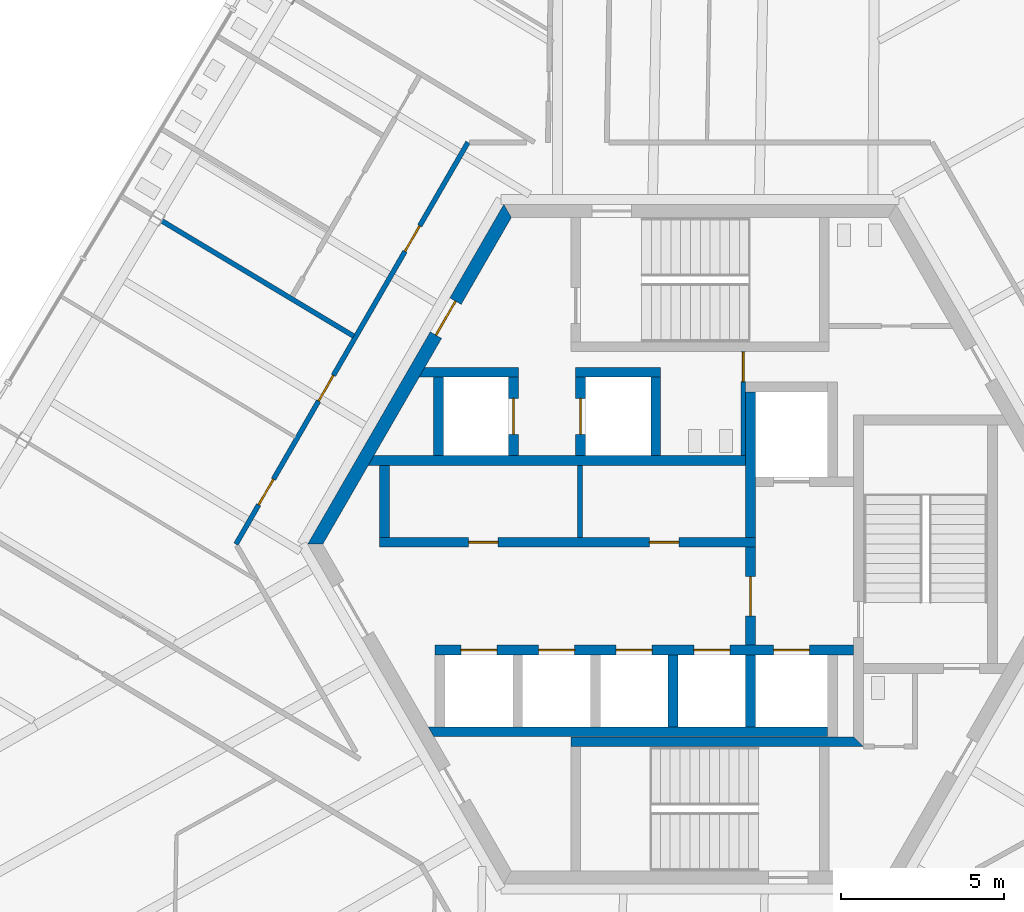
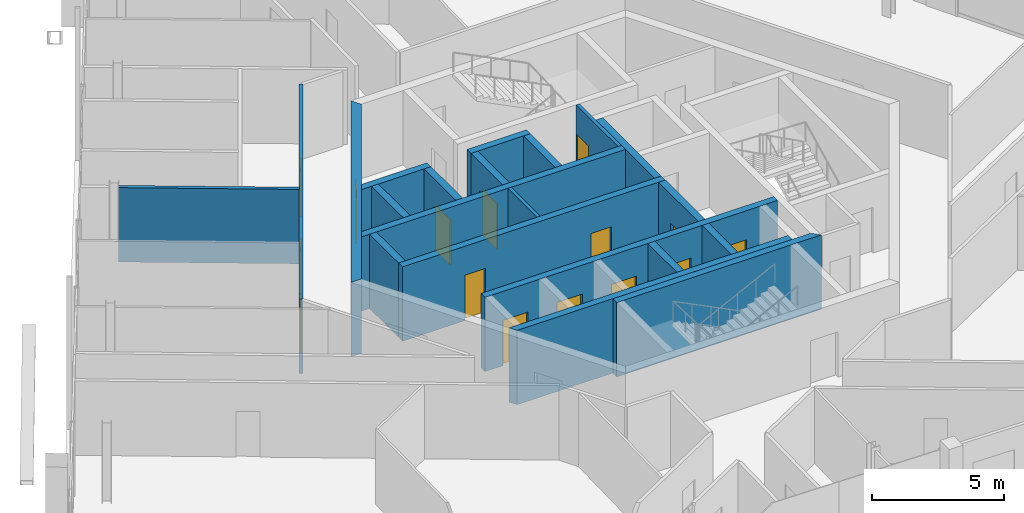
# One storey, part 12 of 21: 21 walls, 15 doors, 15 openings.
"""IFC4 building model written with IfcOpenShell, lengths in metres."""

from ifc_helpers import new_model, si_unit, direction, frame, frame_2d, origin, place, context, subcontext, project, spatial, polyline, rectangle, outline, extrude, source, transform, mapped, material, layer, layer_set, type_object, element, fill, save


model = new_model("IFC4")

# Units and contexts
model_context = context("Model", 3, precision=1e-05, world=origin(), true_north=direction((0.0, 1.0)))
body_context = subcontext(model_context, "Body", "Model", "MODEL_VIEW")
ifc_project = project(units=[si_unit("LENGTHUNIT", "METRE"), si_unit("AREAUNIT", "SQUARE_METRE"), si_unit("VOLUMEUNIT", "CUBIC_METRE"), si_unit("PLANEANGLEUNIT", "RADIAN"), si_unit("MASSUNIT", "GRAM", prefix="KILO")], contexts=[model_context])

# Site, building, storey
site_placement = place(None, origin())
site = spatial("IfcSite", under=ifc_project, at=site_placement, CompositionType="ELEMENT")
building_placement = place(site_placement, origin())
building = spatial("IfcBuilding", under=site, at=building_placement, Name="Triune Harvest Tower", CompositionType="ELEMENT")
storey_placement = place(building_placement, frame((0.0, 0.0, 187.10009765625)))
storey = spatial("IfcBuildingStorey", under=building, at=storey_placement, Name="L48", CompositionType="ELEMENT", Elevation=187.10009765625)

# Wall, opening, door
ifc_material_1 = material(Name="Concrete 70 MPa", Category="concrete")
ifc_layer_1 = layer(ifc_material_1, 0.39990234375)
ifc_layer_set_1 = layer_set([ifc_layer_1], Name="Concrete 70 MPa")
wall_type_1 = type_object("IfcWallType", Name="Core wall 400", PredefinedType="SHEAR", material=ifc_layer_set_1)
shared_shape_1 = source(origin(), body_context, "Body", "SweptSolid", [
    extrude(outline(polyline([(-0.115478515625, -0.199951171875), (11.884521484375, -0.199951171875), (11.653564453125, 0.199951171875), (0.115478515625, 0.199951171875), (-0.115478515625, -0.199951171875)])), origin(), (0.0, 0.0, 1.0), 3.43994140625),
])
wall_1_placement = place(storey_placement, frame((-5.884521484375, 10.1923828125, 0.0), z_axis=(0.0, 0.0, 1.0), x_axis=(-0.499996592174, -0.866027371285, 0.0)))
wall_1 = element("IfcWall", 1, at=wall_1_placement, inside=storey, type_object=wall_type_1, Name="Hexagon 2 wall", PredefinedType="SHEAR", context=body_context, shape_type="MappedRepresentation", body=[
    mapped(shared_shape_1, transform((0.0, 0.0, 0.0), scale=1.0)),
])
opening_1_placement = place(wall_1_placement, frame((3.1845703125, 0.0, 0.0)))
opening_1 = element("IfcOpeningElement", 2, at=opening_1_placement, cuts=wall_1, Name="Opening CD-SVP", PredefinedType="OPENING", context=body_context, shape_type="SweptSolid", body=[
    extrude(rectangle(XDim=1.199951171875, YDim=2.10009765625, at=frame_2d((0.60009765625, 1.050048828125))), frame((0.0, 0.2099609375, 0.0), z_axis=(0.0, -1.0, 0.0), x_axis=(1.0, 0.0, 0.0)), (0.0, 0.0, 1.0), 0.419921875),
])
ifc_material_2 = material(Name="Steel S235", Category="steel")
door_type_1 = type_object("IfcDoorType", Name="Service door 1200 FD120", OperationType="SINGLE_SWING_LEFT", PredefinedType="DOOR", material=ifc_material_2)
door_1_placement = place(opening_1_placement, frame((1.199951171875, 0.0, 0.0), z_axis=(0.0, 0.0, 1.0), x_axis=(-1.0, 0.0, 0.0)))
door_1 = element("IfcDoor", 3, at=door_1_placement, inside=storey, type_object=door_type_1, Name="Door CD-SVP", OperationType="SINGLE_SWING_RIGHT", OverallHeight=2.10009765625, OverallWidth=1.199951171875, PredefinedType="DOOR", context=body_context, shape_type="SweptSolid", body=[
    extrude(rectangle(XDim=1.199951171875, YDim=2.10009765625, at=frame_2d((0.60009765625, 1.050048828125))), frame((0.0, 0.02490234375, 0.0), z_axis=(0.0, -1.0, 0.0), x_axis=(1.0, 0.0, 0.0)), (0.0, 0.0, 1.0), 0.050048828125),
])
fill(opening_1, door_1)

# Wall, openings, doors
ifc_material_3 = material(Name="Concrete 70 MPa", Category="concrete")
ifc_layer_2 = layer(ifc_material_3, 0.300048828125)
ifc_layer_set_2 = layer_set([ifc_layer_2], Name="Concrete 70 MPa")
wall_type_2 = type_object("IfcWallType", Name="Core wall 300", PredefinedType="SHEAR", material=ifc_layer_set_2)
shared_shape_2 = source(origin(), body_context, "Body", "SweptSolid", [
    extrude(rectangle(XDim=11.5, YDim=0.300048828125, at=frame_2d((5.75, 0.0))), origin(), (0.0, 0.0, 1.0), 3.43994140625),
])
wall_2_placement = place(storey_placement, frame((-9.800048828125, 0.06005859375, 0.0), z_axis=(0.0, 0.0, 1.0), x_axis=(1.0, 0.0, 0.0)))
wall_2 = element("IfcWall", 4, at=wall_2_placement, inside=storey, type_object=wall_type_2, Name="North front wall", PredefinedType="SHEAR", context=body_context, shape_type="MappedRepresentation", body=[
    mapped(shared_shape_2, transform((0.0, 0.0, 0.0), scale=1.0)),
])
opening_2_placement = place(wall_2_placement, frame((2.7275390625, 0.0, 0.0)))
opening_2 = element("IfcOpeningElement", 5, at=opening_2_placement, cuts=wall_2, Name="Opening CD-RN1", PredefinedType="OPENING", context=body_context, shape_type="SweptSolid", body=[
    extrude(rectangle(XDim=0.89990234375, YDim=2.10009765625, at=frame_2d((0.449951171875, 1.050048828125))), frame((0.0, 0.16015625, 0.0), z_axis=(0.0, -1.0, 0.0), x_axis=(1.0, 0.0, 0.0)), (0.0, 0.0, 1.0), 0.320068359375),
])
opening_3_placement = place(wall_2_placement, frame((8.25244140625, 0.0, 0.0)))
opening_3 = element("IfcOpeningElement", 6, at=opening_3_placement, cuts=wall_2, Name="Opening CD-RN2", PredefinedType="OPENING", context=body_context, shape_type="SweptSolid", body=[
    extrude(rectangle(XDim=0.89990234375, YDim=2.10009765625, at=frame_2d((0.449951171875, 1.050048828125))), frame((0.0, 0.16015625, 0.0), z_axis=(0.0, -1.0, 0.0), x_axis=(1.0, 0.0, 0.0)), (0.0, 0.0, 1.0), 0.320068359375),
])
ifc_material_4 = material(Name="Steel S235", Category="steel")
door_type_2 = type_object("IfcDoorType", Name="Riser door 900 FD120", OperationType="SINGLE_SWING_LEFT", PredefinedType="DOOR", material=ifc_material_4)
door_2_placement = place(opening_2_placement, frame((0.89990234375, 0.0, 0.0), z_axis=(0.0, 0.0, 1.0), x_axis=(-1.0, 0.0, 0.0)))
door_2 = element("IfcDoor", 7, at=door_2_placement, inside=storey, type_object=door_type_2, Name="Door CD-RN1", OperationType="SINGLE_SWING_RIGHT", OverallHeight=2.10009765625, OverallWidth=0.89990234375, PredefinedType="DOOR", context=body_context, shape_type="SweptSolid", body=[
    extrude(rectangle(XDim=0.89990234375, YDim=2.10009765625, at=frame_2d((0.449951171875, 1.050048828125))), frame((0.0, 0.02490234375, 0.0), z_axis=(0.0, -1.0, 0.0), x_axis=(1.0, 0.0, 0.0)), (0.0, 0.0, 1.0), 0.050048828125),
])
fill(opening_2, door_2)
door_3_placement = place(opening_3_placement, frame((0.89990234375, 0.0, 0.0), z_axis=(0.0, 0.0, 1.0), x_axis=(-1.0, 0.0, 0.0)))
door_3 = element("IfcDoor", 8, at=door_3_placement, inside=storey, type_object=door_type_2, Name="Door CD-RN2", OperationType="SINGLE_SWING_RIGHT", OverallHeight=2.10009765625, OverallWidth=0.89990234375, PredefinedType="DOOR", context=body_context, shape_type="SweptSolid", body=[
    extrude(rectangle(XDim=0.89990234375, YDim=2.10009765625, at=frame_2d((0.449951171875, 1.050048828125))), frame((0.0, 0.02490234375, 0.0), z_axis=(0.0, -1.0, 0.0), x_axis=(1.0, 0.0, 0.0)), (0.0, 0.0, 1.0), 0.050048828125),
])
fill(opening_3, door_3)

# Walls
shared_shape_3 = source(origin(), body_context, "Body", "SweptSolid", [
    extrude(outline(polyline([(11.199951171875, -0.14990234375), (-0.34912109375, -0.14990234375), (-0.17578125, 0.14990234375), (11.199951171875, 0.14990234375), (11.199951171875, -0.14990234375)])), origin(), (0.0, 0.0, 1.0), 3.43994140625),
])
wall_3_placement = place(storey_placement, frame((-9.800048828125, 2.56005859375, 0.0), z_axis=(0.0, 0.0, 1.0), x_axis=(1.0, 0.0, 0.0)))
element("IfcWall", 9, at=wall_3_placement, inside=storey, type_object=wall_type_2, Name="North back wall", PredefinedType="SHEAR", context=body_context, shape_type="MappedRepresentation", body=[
    mapped(shared_shape_3, transform((0.0, 0.0, 0.0), scale=1.0)),
])
shared_shape_4 = source(origin(), body_context, "Body", "SweptSolid", [
    extrude(rectangle(XDim=4.449951171875, YDim=0.300048828125, at=frame_2d((2.22509765625, 0.0))), origin(), (0.0, 0.0, 1.0), 3.43994140625),
])
wall_4_placement = place(storey_placement, frame((1.550048828125, 0.2099609375, 0.0), z_axis=(0.0, 0.0, 1.0), x_axis=(0.0, 1.0, 0.0)))
element("IfcWall", 10, at=wall_4_placement, inside=storey, type_object=wall_type_2, Name="Ff1 west wall", PredefinedType="SHEAR", context=body_context, shape_type="MappedRepresentation", body=[
    mapped(shared_shape_4, transform((0.0, 0.0, 0.0), scale=1.0)),
])

# Wall, opening, door
shared_shape_5 = source(origin(), body_context, "Body", "SweptSolid", [
    extrude(rectangle(XDim=3.0, YDim=0.300048828125, at=frame_2d((1.5, 0.0))), origin(), (0.0, 0.0, 1.0), 3.43994140625),
])
wall_5_placement = place(storey_placement, frame((1.550048828125, -3.090087890625, 0.0), z_axis=(0.0, 0.0, 1.0), x_axis=(0.0, 1.0, 0.0)))
wall_5 = element("IfcWall", 11, at=wall_5_placement, inside=storey, type_object=wall_type_2, Name="Ff lobby west wall", PredefinedType="SHEAR", context=body_context, shape_type="MappedRepresentation", body=[
    mapped(shared_shape_5, transform((0.0, 0.0, 0.0), scale=1.0)),
])
opening_4_placement = place(wall_5_placement, frame((0.89990234375, 0.0, 0.0)))
opening_4 = element("IfcOpeningElement", 12, at=opening_4_placement, cuts=wall_5, Name="Opening CD-FL", PredefinedType="OPENING", context=body_context, shape_type="SweptSolid", body=[
    extrude(rectangle(XDim=1.199951171875, YDim=2.10009765625, at=frame_2d((0.60009765625, 1.050048828125))), frame((0.0, 0.16015625, 0.0), z_axis=(0.0, -1.0, 0.0), x_axis=(1.0, 0.0, 0.0)), (0.0, 0.0, 1.0), 0.320068359375),
])
ifc_material_5 = material(Name="Steel S235", Category="steel")
door_type_3 = type_object("IfcDoorType", Name="Firefighters' lobby door 1200 FD120", OperationType="SINGLE_SWING_LEFT", PredefinedType="DOOR", material=ifc_material_5)
door_4_placement = place(opening_4_placement, frame((1.199951171875, 0.0, 0.0), z_axis=(0.0, 0.0, 1.0), x_axis=(-1.0, 0.0, 0.0)))
door_4 = element("IfcDoor", 13, at=door_4_placement, inside=storey, type_object=door_type_3, Name="Door CD-FL", OperationType="SINGLE_SWING_RIGHT", OverallHeight=2.10009765625, OverallWidth=1.199951171875, PredefinedType="DOOR", context=body_context, shape_type="SweptSolid", body=[
    extrude(rectangle(XDim=1.199951171875, YDim=2.10009765625, at=frame_2d((0.60009765625, 1.050048828125))), frame((0.0, 0.02490234375, 0.0), z_axis=(0.0, -1.0, 0.0), x_axis=(1.0, 0.0, 0.0)), (0.0, 0.0, 1.0), 0.050048828125),
])
fill(opening_4, door_4)

# Wall, openings, doors
shared_shape_6 = source(origin(), body_context, "Body", "SweptSolid", [
    extrude(rectangle(XDim=12.800048828125, YDim=0.300048828125, at=frame_2d((6.39990234375, 0.0))), origin(), (0.0, 0.0, 1.0), 3.43994140625),
])
wall_6_placement = place(storey_placement, frame((-8.10009765625, -3.239990234375, 0.0), z_axis=(0.0, 0.0, 1.0), x_axis=(1.0, 0.0, 0.0)))
wall_6 = element("IfcWall", 14, at=wall_6_placement, inside=storey, type_object=wall_type_2, Name="South front wall", PredefinedType="SHEAR", context=body_context, shape_type="MappedRepresentation", body=[
    mapped(shared_shape_6, transform((0.0, 0.0, 0.0), scale=1.0)),
])
opening_5_placement = place(wall_6_placement, frame((0.78759765625, 0.0, 0.0)))
opening_5 = element("IfcOpeningElement", 15, at=opening_5_placement, cuts=wall_6, Name="Opening LD-HR1-48", PredefinedType="OPENING", context=body_context, shape_type="SweptSolid", body=[
    extrude(rectangle(XDim=1.10009765625, YDim=2.10009765625, at=frame_2d((0.550048828125, 1.050048828125))), frame((0.0, 0.16015625, 0.0), z_axis=(0.0, -1.0, 0.0), x_axis=(1.0, 0.0, 0.0)), (0.0, 0.0, 1.0), 0.320068359375),
])
opening_6_placement = place(wall_6_placement, frame((3.16259765625, 0.0, 0.0)))
opening_6 = element("IfcOpeningElement", 16, at=opening_6_placement, cuts=wall_6, Name="Opening LD-HR2-48", PredefinedType="OPENING", context=body_context, shape_type="SweptSolid", body=[
    extrude(rectangle(XDim=1.10009765625, YDim=2.10009765625, at=frame_2d((0.550048828125, 1.050048828125))), frame((0.0, 0.16015625, 0.0), z_axis=(0.0, -1.0, 0.0), x_axis=(1.0, 0.0, 0.0)), (0.0, 0.0, 1.0), 0.320068359375),
])
opening_7_placement = place(wall_6_placement, frame((5.53759765625, 0.0, 0.0)))
opening_7 = element("IfcOpeningElement", 17, at=opening_7_placement, cuts=wall_6, Name="Opening LD-HR3-48", PredefinedType="OPENING", context=body_context, shape_type="SweptSolid", body=[
    extrude(rectangle(XDim=1.10009765625, YDim=2.10009765625, at=frame_2d((0.550048828125, 1.050048828125))), frame((0.0, 0.16015625, 0.0), z_axis=(0.0, -1.0, 0.0), x_axis=(1.0, 0.0, 0.0)), (0.0, 0.0, 1.0), 0.320068359375),
])
opening_8_placement = place(wall_6_placement, frame((7.91259765625, 0.0, 0.0)))
opening_8 = element("IfcOpeningElement", 18, at=opening_8_placement, cuts=wall_6, Name="Opening LD-HR4-48", PredefinedType="OPENING", context=body_context, shape_type="SweptSolid", body=[
    extrude(rectangle(XDim=1.10009765625, YDim=2.10009765625, at=frame_2d((0.550048828125, 1.050048828125))), frame((0.0, 0.16015625, 0.0), z_axis=(0.0, -1.0, 0.0), x_axis=(1.0, 0.0, 0.0)), (0.0, 0.0, 1.0), 0.320068359375),
])
opening_9_placement = place(wall_6_placement, frame((10.35009765625, 0.0, 0.0)))
opening_9 = element("IfcOpeningElement", 19, at=opening_9_placement, cuts=wall_6, Name="Opening LD-FF2-48", PredefinedType="OPENING", context=body_context, shape_type="SweptSolid", body=[
    extrude(rectangle(XDim=1.10009765625, YDim=2.10009765625, at=frame_2d((0.550048828125, 1.050048828125))), frame((0.0, 0.16015625, 0.0), z_axis=(0.0, -1.0, 0.0), x_axis=(1.0, 0.0, 0.0)), (0.0, 0.0, 1.0), 0.320068359375),
])
ifc_material_6 = material(Name="Stainless steel AISI 304", Category="steel")
door_type_4 = type_object("IfcDoorType", Name="Landing door 1100 x 2100", OperationType="DOUBLE_DOOR_SLIDING", PredefinedType="DOOR", material=ifc_material_6)
door_5_placement = place(opening_5_placement, origin())
door_5 = element("IfcDoor", 20, at=door_5_placement, inside=storey, type_object=door_type_4, Name="Door LD-HR1-48", OperationType="DOUBLE_DOOR_SLIDING", OverallHeight=2.10009765625, OverallWidth=1.10009765625, PredefinedType="DOOR", context=body_context, shape_type="SweptSolid", body=[
    extrude(rectangle(XDim=1.10009765625, YDim=2.10009765625, at=frame_2d((0.550048828125, 1.050048828125))), frame((0.0, 0.02490234375, 0.0), z_axis=(0.0, -1.0, 0.0), x_axis=(1.0, 0.0, 0.0)), (0.0, 0.0, 1.0), 0.050048828125),
])
fill(opening_5, door_5)
door_6_placement = place(opening_6_placement, origin())
door_6 = element("IfcDoor", 21, at=door_6_placement, inside=storey, type_object=door_type_4, Name="Door LD-HR2-48", OperationType="DOUBLE_DOOR_SLIDING", OverallHeight=2.10009765625, OverallWidth=1.10009765625, PredefinedType="DOOR", context=body_context, shape_type="SweptSolid", body=[
    extrude(rectangle(XDim=1.10009765625, YDim=2.10009765625, at=frame_2d((0.550048828125, 1.050048828125))), frame((0.0, 0.02490234375, 0.0), z_axis=(0.0, -1.0, 0.0), x_axis=(1.0, 0.0, 0.0)), (0.0, 0.0, 1.0), 0.050048828125),
])
fill(opening_6, door_6)
door_7_placement = place(opening_7_placement, origin())
door_7 = element("IfcDoor", 22, at=door_7_placement, inside=storey, type_object=door_type_4, Name="Door LD-HR3-48", OperationType="DOUBLE_DOOR_SLIDING", OverallHeight=2.10009765625, OverallWidth=1.10009765625, PredefinedType="DOOR", context=body_context, shape_type="SweptSolid", body=[
    extrude(rectangle(XDim=1.10009765625, YDim=2.10009765625, at=frame_2d((0.550048828125, 1.050048828125))), frame((0.0, 0.02490234375, 0.0), z_axis=(0.0, -1.0, 0.0), x_axis=(1.0, 0.0, 0.0)), (0.0, 0.0, 1.0), 0.050048828125),
])
fill(opening_7, door_7)
door_8_placement = place(opening_8_placement, origin())
door_8 = element("IfcDoor", 23, at=door_8_placement, inside=storey, type_object=door_type_4, Name="Door LD-HR4-48", OperationType="DOUBLE_DOOR_SLIDING", OverallHeight=2.10009765625, OverallWidth=1.10009765625, PredefinedType="DOOR", context=body_context, shape_type="SweptSolid", body=[
    extrude(rectangle(XDim=1.10009765625, YDim=2.10009765625, at=frame_2d((0.550048828125, 1.050048828125))), frame((0.0, 0.02490234375, 0.0), z_axis=(0.0, -1.0, 0.0), x_axis=(1.0, 0.0, 0.0)), (0.0, 0.0, 1.0), 0.050048828125),
])
fill(opening_8, door_8)
door_9_placement = place(opening_9_placement, origin())
door_9 = element("IfcDoor", 24, at=door_9_placement, inside=storey, type_object=door_type_4, Name="Door LD-FF2-48", OperationType="DOUBLE_DOOR_SLIDING", OverallHeight=2.10009765625, OverallWidth=1.10009765625, PredefinedType="DOOR", context=body_context, shape_type="SweptSolid", body=[
    extrude(rectangle(XDim=1.10009765625, YDim=2.10009765625, at=frame_2d((0.550048828125, 1.050048828125))), frame((0.0, 0.02490234375, 0.0), z_axis=(0.0, -1.0, 0.0), x_axis=(1.0, 0.0, 0.0)), (0.0, 0.0, 1.0), 0.050048828125),
])
fill(opening_9, door_9)

# Walls
shared_shape_7 = source(origin(), body_context, "Body", "SweptSolid", [
    extrude(outline(polyline([(12.0, -0.14990234375), (-0.039794921875, -0.14990234375), (-0.212890625, 0.14990234375), (12.0, 0.14990234375), (12.0, -0.14990234375)])), origin(), (0.0, 0.0, 1.0), 3.43994140625),
])
wall_7_placement = place(storey_placement, frame((-8.10009765625, -5.739990234375, 0.0), z_axis=(0.0, 0.0, 1.0), x_axis=(1.0, 0.0, 0.0)))
element("IfcWall", 25, at=wall_7_placement, inside=storey, type_object=wall_type_2, Name="South back wall", PredefinedType="SHEAR", context=body_context, shape_type="MappedRepresentation", body=[
    mapped(shared_shape_7, transform((0.0, 0.0, 0.0), scale=1.0)),
])
shared_shape_8 = source(origin(), body_context, "Body", "SweptSolid", [
    extrude(rectangle(XDim=2.2001953125, YDim=0.300048828125, at=frame_2d((1.10009765625, 0.0))), origin(), (0.0, 0.0, 1.0), 3.43994140625),
])
for number, where, z_axis, x_axis, name in (
    (26, (1.550048828125, -5.590087890625, 0.0), (0.0, 0.0, 1.0), (0.0, 1.0, 0.0), "Ff2 west wall"),
    (27, (-0.824951171875, -5.590087890625, 0.0), (0.0, 0.0, 1.0), (0.0, 1.0, 0.0), "South cross 3 wall"),
):
    element("IfcWall", number, at=place(storey_placement, frame(where, z_axis=z_axis, x_axis=x_axis)), inside=storey, type_object=wall_type_2, Name=name, PredefinedType="SHEAR", context=body_context, shape_type="MappedRepresentation", body=[
        mapped(shared_shape_8, transform((0.0, 0.0, 0.0), scale=1.0)),
    ])
shared_shape_9 = source(origin(), body_context, "Body", "SweptSolid", [
    extrude(rectangle(XDim=2.199951171875, YDim=0.300048828125, at=frame_2d((1.10009765625, 0.0))), origin(), (0.0, 0.0, 1.0), 3.43994140625),
])
wall_8_placement = place(storey_placement, frame((-9.64990234375, 0.2099609375, 0.0), z_axis=(0.0, 0.0, 1.0), x_axis=(0.0, 1.0, 0.0)))
element("IfcWall", 28, at=wall_8_placement, inside=storey, type_object=wall_type_2, Name="North end west wall", PredefinedType="SHEAR", context=body_context, shape_type="MappedRepresentation", body=[
    mapped(shared_shape_9, transform((0.0, 0.0, 0.0), scale=1.0)),
])
shared_shape_10 = source(origin(), body_context, "Body", "SweptSolid", [
    extrude(outline(polyline([(0.0, -0.14990234375), (8.949951171875, -0.14990234375), (8.64990234375, 0.14990234375), (0.0, 0.14990234375), (0.0, -0.14990234375)])), origin(), (0.0, 0.0, 1.0), 3.43994140625),
])
wall_9_placement = place(storey_placement, frame((-3.949951171875, -6.0400390625, 0.0), z_axis=(0.0, 0.0, 1.0), x_axis=(1.0, 0.0, 0.0)))
element("IfcWall", 29, at=wall_9_placement, inside=storey, type_object=wall_type_2, Name="Stair s north wall", PredefinedType="SHEAR", context=body_context, shape_type="MappedRepresentation", body=[
    mapped(shared_shape_10, transform((0.0, 0.0, 0.0), scale=1.0)),
])
shared_shape_11 = source(origin(), body_context, "Body", "SweptSolid", [
    extrude(outline(polyline([(2.60009765625, -0.14990234375), (-0.440185546875, -0.14990234375), (-0.26708984375, 0.14990234375), (2.60009765625, 0.14990234375), (2.60009765625, -0.14990234375)])), origin(), (0.0, 0.0, 1.0), 3.43994140625),
])
wall_10_placement = place(storey_placement, frame((-8.14990234375, 5.260009765625, 0.0), z_axis=(0.0, 0.0, 1.0), x_axis=(1.0, 0.0, 0.0)))
element("IfcWall", 30, at=wall_10_placement, inside=storey, type_object=wall_type_2, Name="Sv1 north wall", PredefinedType="SHEAR", context=body_context, shape_type="MappedRepresentation", body=[
    mapped(shared_shape_11, transform((0.0, 0.0, 0.0), scale=1.0)),
])
shared_shape_12 = source(origin(), body_context, "Body", "SweptSolid", [
    extrude(rectangle(XDim=2.400146484375, YDim=0.300048828125, at=frame_2d((1.2001953125, 0.0))), origin(), (0.0, 0.0, 1.0), 3.43994140625),
])
wall_11_placement = place(storey_placement, frame((-8.0, 2.7099609375, 0.0), z_axis=(0.0, 0.0, 1.0), x_axis=(0.0, 1.0, 0.0)))
element("IfcWall", 31, at=wall_11_placement, inside=storey, type_object=wall_type_2, Name="Sv1 west wall", PredefinedType="SHEAR", context=body_context, shape_type="MappedRepresentation", body=[
    mapped(shared_shape_12, transform((0.0, 0.0, 0.0), scale=1.0)),
])

# Wall, opening, door
wall_12_placement = place(storey_placement, frame((-5.699951171875, 2.7099609375, 0.0), z_axis=(0.0, 0.0, 1.0), x_axis=(0.0, 1.0, 0.0)))
wall_12 = element("IfcWall", 32, at=wall_12_placement, inside=storey, type_object=wall_type_2, Name="Sv1 east wall", PredefinedType="SHEAR", context=body_context, shape_type="MappedRepresentation", body=[
    mapped(shared_shape_12, transform((0.0, 0.0, 0.0), scale=1.0)),
])
opening_10_placement = place(wall_12_placement, frame((0.64990234375, 0.0, 0.0)))
opening_10 = element("IfcOpeningElement", 33, at=opening_10_placement, cuts=wall_12, Name="Opening LD-SV1-48", PredefinedType="OPENING", context=body_context, shape_type="SweptSolid", body=[
    extrude(rectangle(XDim=1.10009765625, YDim=2.10009765625, at=frame_2d((0.550048828125, 1.050048828125))), frame((0.0, 0.16015625, 0.0), z_axis=(0.0, -1.0, 0.0), x_axis=(1.0, 0.0, 0.0)), (0.0, 0.0, 1.0), 0.320068359375),
])
door_10_placement = place(opening_10_placement, origin())
door_10 = element("IfcDoor", 34, at=door_10_placement, inside=storey, type_object=door_type_4, Name="Door LD-SV1-48", OperationType="DOUBLE_DOOR_SLIDING", OverallHeight=2.10009765625, OverallWidth=1.10009765625, PredefinedType="DOOR", context=body_context, shape_type="SweptSolid", body=[
    extrude(rectangle(XDim=1.10009765625, YDim=2.10009765625, at=frame_2d((0.550048828125, 1.050048828125))), frame((0.0, 0.02490234375, 0.0), z_axis=(0.0, -1.0, 0.0), x_axis=(1.0, 0.0, 0.0)), (0.0, 0.0, 1.0), 0.050048828125),
])
fill(opening_10, door_10)

wall_13_placement = place(storey_placement, frame((-3.64990234375, 2.7099609375, 0.0), z_axis=(0.0, 0.0, 1.0), x_axis=(0.0, 1.0, 0.0)))
wall_13 = element("IfcWall", 35, at=wall_13_placement, inside=storey, type_object=wall_type_2, Name="Sv2 west wall", PredefinedType="SHEAR", context=body_context, shape_type="MappedRepresentation", body=[
    mapped(shared_shape_12, transform((0.0, 0.0, 0.0), scale=1.0)),
])
opening_11_placement = place(wall_13_placement, frame((0.64990234375, 0.0, 0.0)))
opening_11 = element("IfcOpeningElement", 36, at=opening_11_placement, cuts=wall_13, Name="Opening LD-SV2-48", PredefinedType="OPENING", context=body_context, shape_type="SweptSolid", body=[
    extrude(rectangle(XDim=1.10009765625, YDim=2.10009765625, at=frame_2d((0.550048828125, 1.050048828125))), frame((0.0, 0.16015625, 0.0), z_axis=(0.0, -1.0, 0.0), x_axis=(1.0, 0.0, 0.0)), (0.0, 0.0, 1.0), 0.320068359375),
])
door_11_placement = place(opening_11_placement, origin())
door_11 = element("IfcDoor", 37, at=door_11_placement, inside=storey, type_object=door_type_4, Name="Door LD-SV2-48", OperationType="DOUBLE_DOOR_SLIDING", OverallHeight=2.10009765625, OverallWidth=1.10009765625, PredefinedType="DOOR", context=body_context, shape_type="SweptSolid", body=[
    extrude(rectangle(XDim=1.10009765625, YDim=2.10009765625, at=frame_2d((0.550048828125, 1.050048828125))), frame((0.0, 0.02490234375, 0.0), z_axis=(0.0, -1.0, 0.0), x_axis=(1.0, 0.0, 0.0)), (0.0, 0.0, 1.0), 0.050048828125),
])
fill(opening_11, door_11)

# Walls
wall_14_placement = place(storey_placement, frame((-1.35009765625, 2.7099609375, 0.0), z_axis=(0.0, 0.0, 1.0), x_axis=(0.0, 1.0, 0.0)))
element("IfcWall", 38, at=wall_14_placement, inside=storey, type_object=wall_type_2, Name="Sv2 east wall", PredefinedType="SHEAR", context=body_context, shape_type="MappedRepresentation", body=[
    mapped(shared_shape_12, transform((0.0, 0.0, 0.0), scale=1.0)),
])
shared_shape_13 = source(origin(), body_context, "Body", "SweptSolid", [
    extrude(rectangle(XDim=2.60009765625, YDim=0.300048828125, at=frame_2d((1.300048828125, 0.0))), origin(), (0.0, 0.0, 1.0), 3.43994140625),
])
wall_15_placement = place(storey_placement, frame((-3.800048828125, 5.260009765625, 0.0), z_axis=(0.0, 0.0, 1.0), x_axis=(1.0, 0.0, 0.0)))
element("IfcWall", 39, at=wall_15_placement, inside=storey, type_object=wall_type_2, Name="Sv2 north wall", PredefinedType="SHEAR", context=body_context, shape_type="MappedRepresentation", body=[
    mapped(shared_shape_13, transform((0.0, 0.0, 0.0), scale=1.0)),
])

# Wall, opening, door
ifc_material_7 = material(Name="Concrete masonry unit", Category="masonry")
ifc_layer_3 = layer(ifc_material_7, 0.14990234375)
ifc_layer_set_3 = layer_set([ifc_layer_3], Name="Concrete masonry unit")
wall_type_3 = type_object("IfcWallType", Name="Block partition 150 unrated", PredefinedType="PARTITIONING", material=ifc_layer_set_3)
shared_shape_14 = source(origin(), body_context, "Body", "SweptSolid", [
    extrude(rectangle(XDim=3.179931640625, YDim=0.14990234375, at=frame_2d((1.58984375, 0.0))), origin(), (0.0, 0.0, 1.0), 3.43994140625),
])
wall_16_placement = place(storey_placement, frame((1.324951171875, 2.7099609375, 0.0), z_axis=(0.0, 0.0, 1.0), x_axis=(0.0, 1.0, 0.0)))
wall_16 = element("IfcWall", 40, at=wall_16_placement, inside=storey, type_object=wall_type_3, Name="Wc men east wall", PredefinedType="PARTITIONING", context=body_context, shape_type="MappedRepresentation", body=[
    mapped(shared_shape_14, transform((0.0, 0.0, 0.0), scale=1.0)),
])
opening_12_placement = place(wall_16_placement, frame((2.264892578125, 0.0, 0.0)))
opening_12 = element("IfcOpeningElement", 41, at=opening_12_placement, cuts=wall_16, Name="Opening CD-WM", PredefinedType="OPENING", context=body_context, shape_type="SweptSolid", body=[
    extrude(rectangle(XDim=0.89990234375, YDim=2.10009765625, at=frame_2d((0.449951171875, 1.050048828125))), frame((0.0, 0.0849609375, 0.0), z_axis=(0.0, -1.0, 0.0), x_axis=(1.0, 0.0, 0.0)), (0.0, 0.0, 1.0), 0.169921875),
])
ifc_material_8 = material(Name="Timber C24", Category="wood")
door_type_5 = type_object("IfcDoorType", Name="WC door 900", OperationType="SINGLE_SWING_LEFT", PredefinedType="DOOR", material=ifc_material_8)
door_12_placement = place(opening_12_placement, origin())
door_12 = element("IfcDoor", 42, at=door_12_placement, inside=storey, type_object=door_type_5, Name="Door CD-WM", OperationType="SINGLE_SWING_LEFT", OverallHeight=2.10009765625, OverallWidth=0.89990234375, PredefinedType="DOOR", context=body_context, shape_type="SweptSolid", body=[
    extrude(rectangle(XDim=0.89990234375, YDim=2.10009765625, at=frame_2d((0.449951171875, 1.050048828125))), frame((0.0, 0.02490234375, 0.0), z_axis=(0.0, -1.0, 0.0), x_axis=(1.0, 0.0, 0.0)), (0.0, 0.0, 1.0), 0.050048828125),
])
fill(opening_12, door_12)

# Walls
ifc_material_9 = material(Name="Concrete masonry unit", Category="masonry")
ifc_layer_4 = layer(ifc_material_9, 0.14990234375)
ifc_layer_set_4 = layer_set([ifc_layer_4], Name="Concrete masonry unit")
wall_type_4 = type_object("IfcWallType", Name="Block partition 150", PredefinedType="PARTITIONING", material=ifc_layer_set_4)
shared_shape_15 = source(origin(), body_context, "Body", "SweptSolid", [
    extrude(rectangle(XDim=2.199951171875, YDim=0.14990234375, at=frame_2d((1.10009765625, 0.0))), origin(), (0.0, 0.0, 1.0), 3.43994140625),
])
wall_17_placement = place(storey_placement, frame((-3.669921875, 0.2099609375, 0.0), z_axis=(0.0, 0.0, 1.0), x_axis=(0.0, 1.0, 0.0)))
element("IfcWall", 43, at=wall_17_placement, inside=storey, type_object=wall_type_4, Name="Row n part 1 wall", PredefinedType="PARTITIONING", context=body_context, shape_type="MappedRepresentation", body=[
    mapped(shared_shape_15, transform((0.0, 0.0, 0.0), scale=1.0)),
])
ifc_material_10 = material(Name="Gypsum board on steel studs", Category="steel")
ifc_layer_5 = layer(ifc_material_10, 0.14990234375)
ifc_layer_set_5 = layer_set([ifc_layer_5], Name="Gypsum board on steel studs")
wall_type_5 = type_object("IfcWallType", Name="Fire Partition 150 mm", PredefinedType="PARTITIONING", material=ifc_layer_set_5)
shared_shape_16 = source(origin(), body_context, "Body", "SweptSolid", [
    extrude(rectangle(XDim=6.84912109375, YDim=0.14990234375, at=frame_2d((3.424560546875, 0.0))), origin(), (0.0, 0.0, 1.0), 3.43994140625),
])
wall_18_placement = place(storey_placement, frame((-16.46044921875, 9.890380859375, 0.0), z_axis=(0.0, 0.0, 1.0), x_axis=(0.857165653174, -0.515040816847, 0.0)))
element("IfcWall", 44, at=wall_18_placement, inside=storey, type_object=wall_type_5, Name="Partition L48 016", PredefinedType="PARTITIONING", context=body_context, shape_type="MappedRepresentation", body=[
    mapped(shared_shape_16, transform((0.0, 0.0, 0.0), scale=1.0)),
])

# Wall, openings, doors
shared_shape_17 = source(origin(), body_context, "Body", "SweptSolid", [
    extrude(rectangle(XDim=14.194091796875, YDim=0.14990234375, at=frame_2d((7.09716796875, 0.0))), origin(), (0.0, 0.0, 1.0), 3.43994140625),
])
wall_19_placement = place(storey_placement, frame((-14.19384765625, 0.0, 0.0), z_axis=(0.0, 0.0, 1.0), x_axis=(0.499992439803, 0.866029768622, 0.0)))
wall_19 = element("IfcWall", 45, at=wall_19_placement, inside=storey, type_object=wall_type_5, Name="Partition L48 049", PredefinedType="PARTITIONING", context=body_context, shape_type="MappedRepresentation", body=[
    mapped(shared_shape_17, transform((0.0, 0.0, 0.0), scale=1.0)),
])
opening_13_placement = place(wall_19_placement, frame((10.343994140625, 0.0, 0.0)))
opening_13 = element("IfcOpeningElement", 46, at=opening_13_placement, cuts=wall_19, Name="Opening L48-011", PredefinedType="OPENING", context=body_context, shape_type="SweptSolid", body=[
    extrude(rectangle(XDim=0.89990234375, YDim=2.10009765625, at=frame_2d((0.449951171875, 1.050048828125))), frame((0.0, 0.0849609375, 0.0), z_axis=(0.0, -1.0, 0.0), x_axis=(1.0, 0.0, 0.0)), (0.0, 0.0, 1.0), 0.169921875),
])
opening_14_placement = place(wall_19_placement, frame((1.3935546875, 0.0, 0.0)))
opening_14 = element("IfcOpeningElement", 47, at=opening_14_placement, cuts=wall_19, Name="Opening L48-015", PredefinedType="OPENING", context=body_context, shape_type="SweptSolid", body=[
    extrude(rectangle(XDim=0.89990234375, YDim=2.10009765625, at=frame_2d((0.449951171875, 1.050048828125))), frame((0.0, 0.0849609375, 0.0), z_axis=(0.0, -1.0, 0.0), x_axis=(1.0, 0.0, 0.0)), (0.0, 0.0, 1.0), 0.169921875),
])
opening_15_placement = place(wall_19_placement, frame((5.0615234375, 0.0, 0.0)))
opening_15 = element("IfcOpeningElement", 48, at=opening_15_placement, cuts=wall_19, Name="Opening L48-016", PredefinedType="OPENING", context=body_context, shape_type="SweptSolid", body=[
    extrude(rectangle(XDim=0.89990234375, YDim=2.10009765625, at=frame_2d((0.449951171875, 1.050048828125))), frame((0.0, 0.0849609375, 0.0), z_axis=(0.0, -1.0, 0.0), x_axis=(1.0, 0.0, 0.0)), (0.0, 0.0, 1.0), 0.169921875),
])
ifc_material_11 = material(Name="Timber and steel door set", Category="steel")
door_type_6 = type_object("IfcDoorType", Name="Single leaf door FD30 left hand 900 x 2100", OperationType="SINGLE_SWING_LEFT", PredefinedType="DOOR", material=ifc_material_11)
door_13_placement = place(opening_14_placement, origin())
door_13 = element("IfcDoor", 49, at=door_13_placement, inside=storey, type_object=door_type_6, Name="Door L48-015 Office 48.15", OperationType="SINGLE_SWING_LEFT", OverallHeight=2.10009765625, OverallWidth=0.89990234375, PredefinedType="DOOR", context=body_context, shape_type="SweptSolid", body=[
    extrude(rectangle(XDim=0.89990234375, YDim=2.10009765625, at=frame_2d((0.449951171875, 1.050048828125))), frame((0.0, 0.02490234375, 0.0), z_axis=(0.0, -1.0, 0.0), x_axis=(1.0, 0.0, 0.0)), (0.0, 0.0, 1.0), 0.050048828125),
])
fill(opening_14, door_13)
door_14_placement = place(opening_15_placement, origin())
door_14 = element("IfcDoor", 50, at=door_14_placement, inside=storey, type_object=door_type_6, Name="Door L48-016 Office 48.16", OperationType="SINGLE_SWING_LEFT", OverallHeight=2.10009765625, OverallWidth=0.89990234375, PredefinedType="DOOR", context=body_context, shape_type="SweptSolid", body=[
    extrude(rectangle(XDim=0.89990234375, YDim=2.10009765625, at=frame_2d((0.449951171875, 1.050048828125))), frame((0.0, 0.02490234375, 0.0), z_axis=(0.0, -1.0, 0.0), x_axis=(1.0, 0.0, 0.0)), (0.0, 0.0, 1.0), 0.050048828125),
])
fill(opening_15, door_14)
ifc_material_12 = material(Name="Timber and steel door set", Category="steel")
door_type_7 = type_object("IfcDoorType", Name="Single leaf door FD30 right hand 900 x 2100", OperationType="SINGLE_SWING_RIGHT", PredefinedType="DOOR", material=ifc_material_12)
door_15_placement = place(opening_13_placement, origin())
door_15 = element("IfcDoor", 51, at=door_15_placement, inside=storey, type_object=door_type_7, Name="Door L48-011 WC lobby 48.11", OperationType="SINGLE_SWING_RIGHT", OverallHeight=2.10009765625, OverallWidth=0.89990234375, PredefinedType="DOOR", context=body_context, shape_type="SweptSolid", body=[
    extrude(rectangle(XDim=0.89990234375, YDim=2.10009765625, at=frame_2d((0.449951171875, 1.050048828125))), frame((0.0, 0.02490234375, 0.0), z_axis=(0.0, -1.0, 0.0), x_axis=(1.0, 0.0, 0.0)), (0.0, 0.0, 1.0), 0.050048828125),
])
fill(opening_13, door_15)

save(model, "model.ifc")
